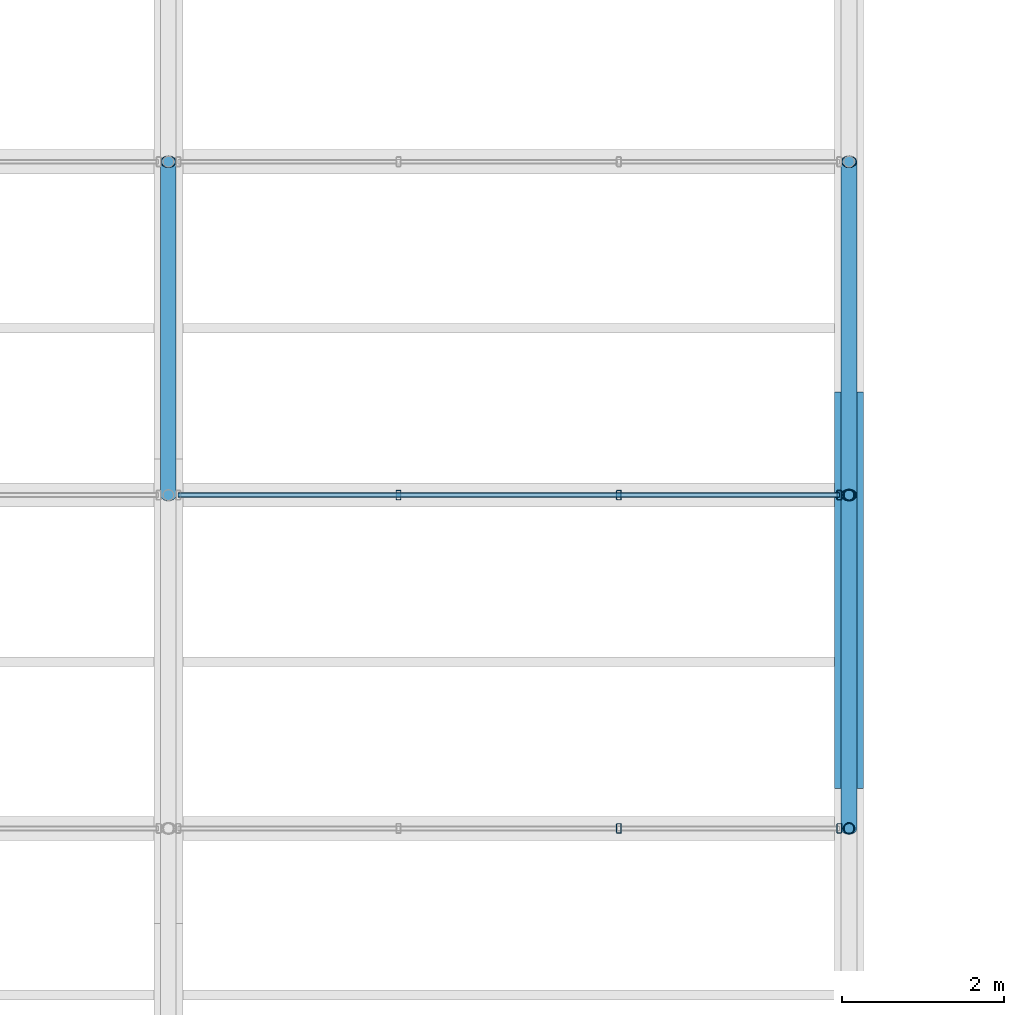
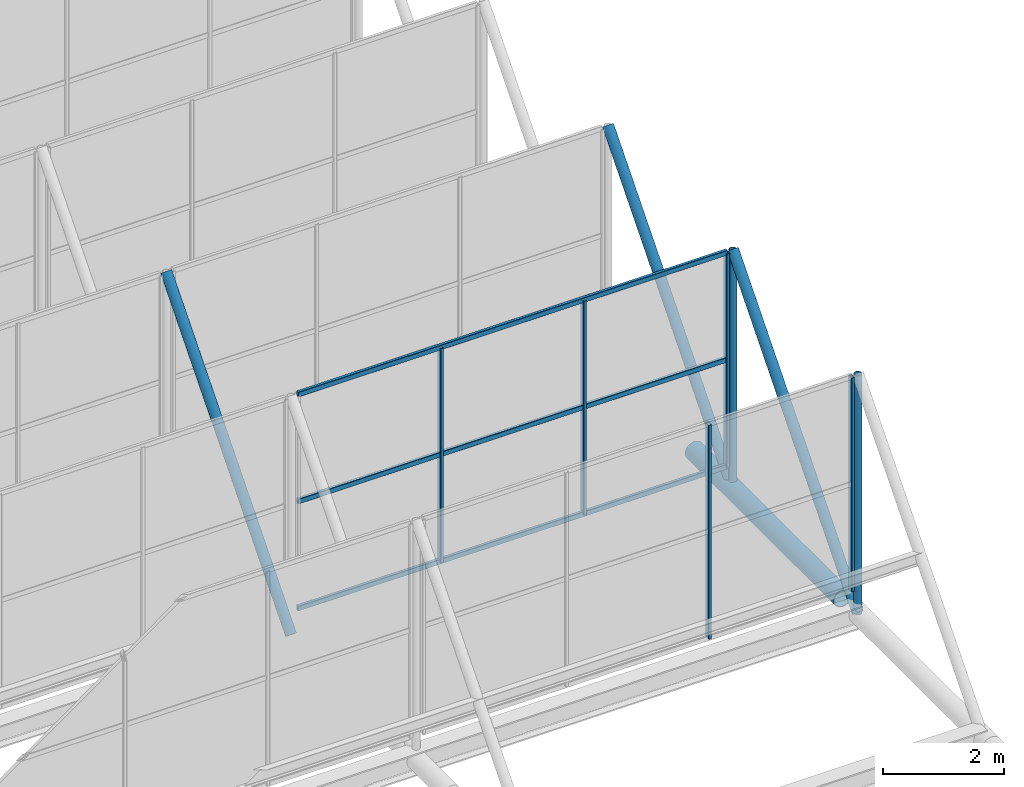
# One storey, part 42 of 77: 14 members, 2 elements without a shape of their own.
"""IFC4 building model written with IfcOpenShell, lengths in metres."""

from ifc_helpers import new_model, si_unit, derived_unit, direction, frame, origin, origin_2d, place, context, subcontext, project, spatial, hollow_rectangle, hollow_circle, extrude, material, material_profile, profile_set, type_object, element, aggregate, save


model = new_model("IFC4")

# Units and contexts
model_context = context("Model", 3, precision=1e-05, world=origin(), true_north=direction((0.0, 1.0)))
body_context = subcontext(model_context, "Body", "Model", "MODEL_VIEW")
ifc_project = project(units=[si_unit("LENGTHUNIT", "METRE"), si_unit("AREAUNIT", "SQUARE_METRE"), si_unit("VOLUMEUNIT", "CUBIC_METRE"), si_unit("PLANEANGLEUNIT", "RADIAN"), si_unit("MASSUNIT", "GRAM", prefix="KILO"), derived_unit("THERMALTRANSMITTANCEUNIT", [(si_unit("MASSUNIT", "GRAM", prefix="KILO"), 1), (si_unit("TIMEUNIT", "SECOND"), -3), (si_unit("THERMODYNAMICTEMPERATUREUNIT", "KELVIN"), -1)])], contexts=[model_context])

# Site, building, storey
site_placement = place(None, origin())
site = spatial("IfcSite", under=ifc_project, at=site_placement, CompositionType="ELEMENT")
building_placement = place(site_placement, origin())
building = spatial("IfcBuilding", under=site, at=building_placement, Name="Kharveza Railside Sports Centre", CompositionType="ELEMENT")
storey_placement = place(building_placement, frame((0.0, 0.0, 17.10009765625)))
storey = spatial("IfcBuildingStorey", under=building, at=storey_placement, Name="L04", CompositionType="ELEMENT", Elevation=17.10009765625)

# Curtain wall, members
ifc_material_1 = material(Name="Low-E solar-control laminated glass", Category="glass")
curtain_wall_type = type_object("IfcCurtainWallType", Name="CW-NL01", PredefinedType="NOTDEFINED", material=ifc_material_1)
curtain_wall_1_placement = place(storey_placement, origin())
curtain_wall_1 = element("IfcCurtainWall", 1, at=curtain_wall_1_placement, inside=storey, type_object=curtain_wall_type, Name="CW-V1NL-1-5", PredefinedType="NOTDEFINED")
ifc_material_2 = material(Name="Anodised aluminium 6063-T6", Category="aluminium")
ifc_material_profile_1 = material_profile(ifc_material_2, hollow_rectangle(XDim=0.06005859375, YDim=0.1201171875, WallThickness=0.0048828125, InnerFilletRadius=0.0048828125, OuterFilletRadius=0.010009765625, at=origin_2d()), Name="RHS 60x120x5.0")
ifc_profile_set_1 = profile_set([ifc_material_profile_1], Name="Anodised aluminium 6063-T6")
member_type_1 = type_object("IfcMemberType", Name="CW-ML05", PredefinedType="MULLION", material=ifc_profile_set_1)
member_1_placement = place(storey_placement, frame((72.760009765625, 40.1142578125, -0.550048828125), z_axis=(0.0, 0.0, 1.0), x_axis=(1.0, 0.0, 0.0)))
member_1 = element("IfcMember", 2, at=member_1_placement, type_object=member_type_1, Name="CW-V1NL-1-5-ML3", PredefinedType="MULLION", context=body_context, shape_type="SweptSolid", body=[
    extrude(hollow_rectangle(XDim=0.06005859375, YDim=0.1201171875, WallThickness=0.0048828125, InnerFilletRadius=0.0048828125, OuterFilletRadius=0.010009765625, at=origin_2d()), origin(), (0.0, 0.0, 1.0), 4.300048828125),
])
member_2_placement = place(storey_placement, frame((75.47998046875, 40.1142578125, -0.550048828125), z_axis=(0.0, 0.0, 1.0), x_axis=(1.0, 0.0, 0.0)))
member_2 = element("IfcMember", 3, at=member_2_placement, type_object=member_type_1, Name="CW-V1NL-1-5-ML4", PredefinedType="MULLION", context=body_context, shape_type="SweptSolid", body=[
    extrude(hollow_rectangle(XDim=0.06005859375, YDim=0.1201171875, WallThickness=0.0048828125, InnerFilletRadius=0.0048828125, OuterFilletRadius=0.010009765625, at=origin_2d()), origin(), (0.0, 0.0, 1.0), 4.300048828125),
])
aggregate(curtain_wall_1, [member_1, member_2])

curtain_wall_2_placement = place(storey_placement, origin())
curtain_wall_2 = element("IfcCurtainWall", 4, at=curtain_wall_2_placement, inside=storey, type_object=curtain_wall_type, Name="CW-V1NL-2-5", PredefinedType="NOTDEFINED")
member_3_placement = place(storey_placement, frame((70.0400390625, 44.228515625, -0.550048828125), z_axis=(0.0, 0.0, 1.0), x_axis=(1.0, 0.0, 0.0)))
member_3 = element("IfcMember", 5, at=member_3_placement, type_object=member_type_1, Name="CW-V1NL-2-5-ML2", PredefinedType="MULLION", context=body_context, shape_type="SweptSolid", body=[
    extrude(hollow_rectangle(XDim=0.06005859375, YDim=0.1201171875, WallThickness=0.0048828125, InnerFilletRadius=0.0048828125, OuterFilletRadius=0.010009765625, at=origin_2d()), origin(), (0.0, 0.0, 1.0), 4.300048828125),
])
member_4_placement = place(storey_placement, frame((72.760009765625, 44.228515625, -0.550048828125), z_axis=(0.0, 0.0, 1.0), x_axis=(1.0, 0.0, 0.0)))
member_4 = element("IfcMember", 6, at=member_4_placement, type_object=member_type_1, Name="CW-V1NL-2-5-ML3", PredefinedType="MULLION", context=body_context, shape_type="SweptSolid", body=[
    extrude(hollow_rectangle(XDim=0.06005859375, YDim=0.1201171875, WallThickness=0.0048828125, InnerFilletRadius=0.0048828125, OuterFilletRadius=0.010009765625, at=origin_2d()), origin(), (0.0, 0.0, 1.0), 4.300048828125),
])
member_5_placement = place(storey_placement, frame((75.47998046875, 44.228515625, -0.550048828125), z_axis=(0.0, 0.0, 1.0), x_axis=(1.0, 0.0, 0.0)))
member_5 = element("IfcMember", 7, at=member_5_placement, type_object=member_type_1, Name="CW-V1NL-2-5-ML4", PredefinedType="MULLION", context=body_context, shape_type="SweptSolid", body=[
    extrude(hollow_rectangle(XDim=0.06005859375, YDim=0.1201171875, WallThickness=0.0048828125, InnerFilletRadius=0.0048828125, OuterFilletRadius=0.010009765625, at=origin_2d()), origin(), (0.0, 0.0, 1.0), 4.300048828125),
])
ifc_material_profile_2 = material_profile(ifc_material_2, hollow_rectangle(XDim=0.06005859375, YDim=0.10009765625, WallThickness=0.00390625, InnerFilletRadius=0.00390625, OuterFilletRadius=0.008056640625, at=origin_2d()), Name="RHS 60x100x4.0")
ifc_profile_set_2 = profile_set([ifc_material_profile_2], Name="Anodised aluminium 6063-T6")
member_type_2 = type_object("IfcMemberType", Name="CW-TR05", PredefinedType="USERDEFINED", material=ifc_profile_set_2)
member_6_placement = place(storey_placement, frame((67.320068359375, 44.228515625, -0.550048828125), z_axis=(1.0, 0.0, 0.0), x_axis=(0.0, 1.0, 0.0)))
member_6 = element("IfcMember", 8, at=member_6_placement, type_object=member_type_2, Name="CW-V1NL-2-5-TR1", ObjectType="TRANSOM", PredefinedType="USERDEFINED", context=body_context, shape_type="SweptSolid", body=[
    extrude(hollow_rectangle(XDim=0.06005859375, YDim=0.10009765625, WallThickness=0.00390625, InnerFilletRadius=0.00390625, OuterFilletRadius=0.008056640625, at=origin_2d()), origin(), (0.0, 0.0, 1.0), 8.159912109375),
])
member_7_placement = place(storey_placement, frame((67.320068359375, 44.228515625, 1.599853515625), z_axis=(1.0, 0.0, 0.0), x_axis=(0.0, 1.0, 0.0)))
member_7 = element("IfcMember", 9, at=member_7_placement, type_object=member_type_2, Name="CW-V1NL-2-5-TR2", ObjectType="TRANSOM", PredefinedType="USERDEFINED", context=body_context, shape_type="SweptSolid", body=[
    extrude(hollow_rectangle(XDim=0.06005859375, YDim=0.10009765625, WallThickness=0.00390625, InnerFilletRadius=0.00390625, OuterFilletRadius=0.008056640625, at=origin_2d()), origin(), (0.0, 0.0, 1.0), 8.159912109375),
])
member_8_placement = place(storey_placement, frame((67.320068359375, 44.228515625, 3.75), z_axis=(1.0, 0.0, 0.0), x_axis=(0.0, 1.0, 0.0)))
member_8 = element("IfcMember", 10, at=member_8_placement, type_object=member_type_2, Name="CW-V1NL-2-5-TR3", ObjectType="TRANSOM", PredefinedType="USERDEFINED", context=body_context, shape_type="SweptSolid", body=[
    extrude(hollow_rectangle(XDim=0.06005859375, YDim=0.10009765625, WallThickness=0.00390625, InnerFilletRadius=0.00390625, OuterFilletRadius=0.008056640625, at=origin_2d()), origin(), (0.0, 0.0, 1.0), 8.159912109375),
])
aggregate(curtain_wall_2, [member_3, member_4, member_5, member_6, member_7, member_8])

# Members
ifc_material_3 = material(Name="Steel S355J2", Category="steel")
ifc_material_profile_3 = material_profile(ifc_material_3, hollow_circle(Radius=0.177734375, WallThickness=0.01611328125, at=origin_2d()), Name="CHS 355.6x16.0")
ifc_profile_set_3 = profile_set([ifc_material_profile_3], Name="Steel S355J2")
member_type_3 = type_object("IfcMemberType", Name="MB-CH01", PredefinedType="CHORD", material=ifc_profile_set_3)
member_9_placement = place(storey_placement, frame((75.60009765625, 40.606689453125, -1.050048828125), z_axis=(0.0, 1.0, 0.0), x_axis=(-1.0, 0.0, 0.0)))
element("IfcMember", 11, at=member_9_placement, inside=storey, type_object=member_type_3, Name="MB-V1TR-TC-6-3", PredefinedType="CHORD", context=body_context, shape_type="SweptSolid", body=[
    extrude(hollow_circle(Radius=0.177734375, WallThickness=0.01611328125, at=origin_2d()), origin(), (0.0, 0.0, 1.0), 4.896728515625),
])
ifc_material_profile_4 = material_profile(ifc_material_3, hollow_circle(Radius=0.096923828125, WallThickness=0.010009765625, at=origin_2d()), Name="CHS 193.7x10.0")
ifc_profile_set_4 = profile_set([ifc_material_profile_4], Name="Steel S355J2")
member_type_4 = type_object("IfcMemberType", Name="MB-ST02", PredefinedType="STRUT", material=ifc_profile_set_4)
member_10_placement = place(storey_placement, frame((75.60009765625, 40.1142578125, -1.050048828125), z_axis=(0.0, 0.650003261435, 0.759931418039), x_axis=(-1.0, 0.0, 0.0)))
element("IfcMember", 12, at=member_10_placement, inside=storey, type_object=member_type_4, Name="MB-V1SAW-RFT-2-6", PredefinedType="STRUT", context=body_context, shape_type="SweptSolid", body=[
    extrude(hollow_circle(Radius=0.096923828125, WallThickness=0.010009765625, at=origin_2d()), origin(), (0.0, 0.0, 1.0), 6.32958984375),
])
for number, where, z_axis, x_axis, name in (
    (13, (67.199951171875, 44.228515625, -1.050048828125), (0.0, 0.65002553535, 0.759912365601), (-1.0, 0.0, 0.0), "MB-V1SAW-RFT-3-5"),
    (14, (75.60009765625, 44.228515625, -1.050048828125), (0.0, 0.65002553535, 0.759912365601), (-1.0, 0.0, 0.0), "MB-V1SAW-RFT-3-6"),
):
    element("IfcMember", number, at=place(storey_placement, frame(where, z_axis=z_axis, x_axis=x_axis)), inside=storey, type_object=member_type_4, Name=name, PredefinedType="STRUT", context=body_context, shape_type="SweptSolid", body=[
        extrude(hollow_circle(Radius=0.096923828125, WallThickness=0.010009765625, at=origin_2d()), origin(), (0.0, 0.0, 1.0), 6.329833984375),
    ])
ifc_material_profile_5 = material_profile(ifc_material_3, hollow_circle(Radius=0.06982421875, WallThickness=0.008056640625, at=origin_2d()), Name="CHS 139.7x8.0")
ifc_profile_set_5 = profile_set([ifc_material_profile_5], Name="Steel S355J2")
member_type_5 = type_object("IfcMemberType", Name="MB-ST04", PredefinedType="STRUT", material=ifc_profile_set_5)
for number, where, z_axis, x_axis, name in (
    (15, (75.60009765625, 40.1142578125, -1.050048828125), (0.0, 0.0, 1.0), (1.0, 0.0, 0.0), "MB-V1SAW-PST-1-6"),
    (16, (75.60009765625, 44.228515625, -1.050048828125), (0.0, 0.0, 1.0), (1.0, 0.0, 0.0), "MB-V1SAW-PST-2-6"),
):
    element("IfcMember", number, at=place(storey_placement, frame(where, z_axis=z_axis, x_axis=x_axis)), inside=storey, type_object=member_type_5, Name=name, PredefinedType="STRUT", context=body_context, shape_type="SweptSolid", body=[
        extrude(hollow_circle(Radius=0.06982421875, WallThickness=0.008056640625, at=origin_2d()), origin(), (0.0, 0.0, 1.0), 4.81005859375),
    ])

save(model, "model.ifc")
